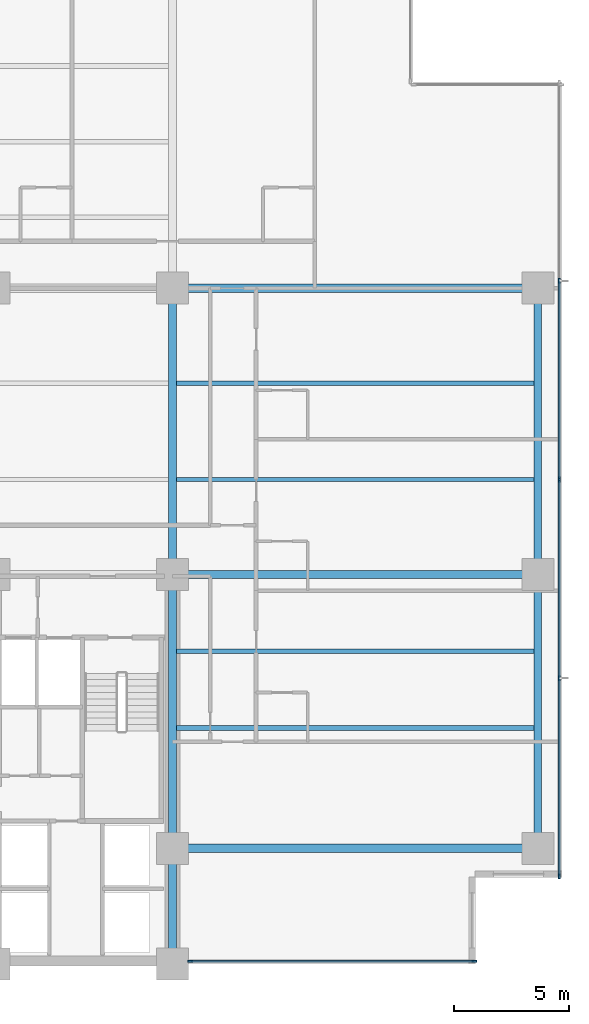
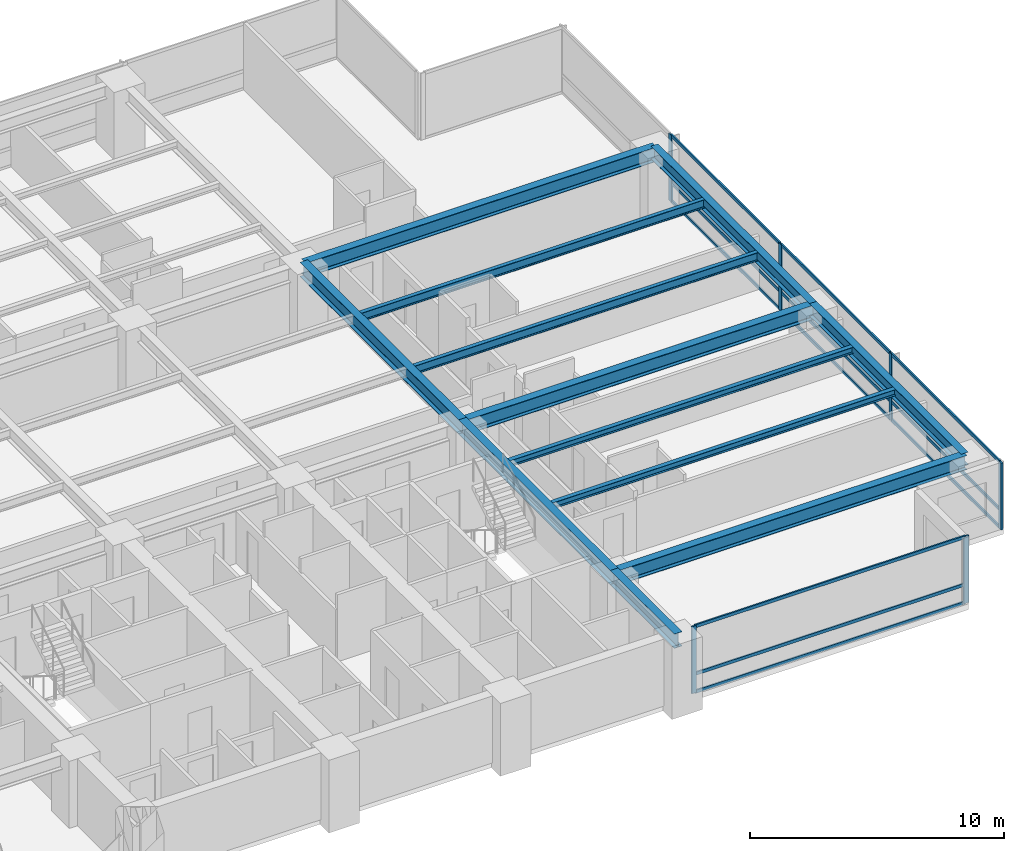
# One storey, part 3 of 17: 18 members, 12 beams, 2 elements without a shape of their own.
"""IFC4 building model written with IfcOpenShell, lengths in metres."""

from ifc_helpers import new_model, si_unit, direction, frame, origin, origin_2d, place, context, subcontext, project, spatial, rectangle, i_section, extrude, material, layer, layer_set, material_profile, profile_set, type_object, element, aggregate, save


model = new_model("IFC4")

# Units and contexts
model_context = context("Model", 3, precision=1e-05, world=origin(), true_north=direction((0.0, 1.0)))
body_context = subcontext(model_context, "Body", "Model", "MODEL_VIEW")
ifc_project = project(units=[si_unit("LENGTHUNIT", "METRE"), si_unit("AREAUNIT", "SQUARE_METRE"), si_unit("VOLUMEUNIT", "CUBIC_METRE"), si_unit("PLANEANGLEUNIT", "RADIAN"), si_unit("MASSUNIT", "GRAM", prefix="KILO")], contexts=[model_context])

# Site, building, storey
site_placement = place(None, origin())
site = spatial("IfcSite", under=ifc_project, at=site_placement, CompositionType="ELEMENT")
building_placement = place(site_placement, origin())
building = spatial("IfcBuilding", under=site, at=building_placement, Name="Qalmaran Belvedere Hotel", CompositionType="ELEMENT")
storey_placement = place(building_placement, frame((0.0, 0.0, 68.39990234375)))
storey = spatial("IfcBuildingStorey", under=building, at=storey_placement, Name="L17", CompositionType="ELEMENT", Elevation=68.39990234375)

# Beams
ifc_material_1 = material(Name="Steel S355JR", Category="steel")
ifc_material_profile_1 = material_profile(ifc_material_1, i_section(OverallWidth=0.202880859375, OverallDepth=0.302978515625, WebThickness=0.007568359375, FlangeThickness=0.01318359375, FilletRadius=0.012939453125, at=origin_2d()), Name="W310X60")
ifc_profile_set_1 = profile_set([ifc_material_profile_1], Name="Steel S355JR")
beam_type_1 = type_object("IfcBeamType", Name="BM-JST-W310X60", PredefinedType="JOIST", material=ifc_profile_set_1)
for number, where, z_axis, x_axis, name in (
    (1, (44.9755859375, 13.800048828125, 3.068603515625), (1.0, 0.0, 0.0), (0.0, 1.0, 0.0), "L17 East Wing Joist 039"),
    (2, (44.9755859375, 17.14990234375, 3.068603515625), (1.0, 0.0, 0.0), (0.0, 1.0, 0.0), "L17 East Wing Joist 041"),
):
    element("IfcBeam", number, at=place(storey_placement, frame(where, z_axis=z_axis, x_axis=x_axis)), inside=storey, type_object=beam_type_1, Name=name, PredefinedType="JOIST", context=body_context, shape_type="SweptSolid", body=[
        extrude(i_section(OverallWidth=0.202880859375, OverallDepth=0.302978515625, WebThickness=0.007568359375, FlangeThickness=0.01318359375, FilletRadius=0.012939453125, at=origin_2d()), origin(), (0.0, 0.0, 1.0), 15.61279296875),
    ])
ifc_material_profile_2 = material_profile(ifc_material_1, i_section(OverallWidth=0.180908203125, OverallDepth=0.4169921875, WebThickness=0.010986328125, FlangeThickness=0.018310546875, FilletRadius=0.014892578125, at=origin_2d()), Name="W410X85")
ifc_profile_set_2 = profile_set([ifc_material_profile_2], Name="Steel S355JR")
beam_type_2 = type_object("IfcBeamType", Name="BM-SB1-W410X85", PredefinedType="BEAM", material=ifc_profile_set_2)
for number, where, z_axis, x_axis, name in (
    (3, (44.9755859375, 24.64990234375, 3.01171875), (1.0, 0.0, 0.0), (0.0, 1.0, 0.0), "L17 East Secondary Beam 032"),
    (4, (44.9755859375, 28.85009765625, 3.01171875), (1.0, 0.0, 0.0), (0.0, 1.0, 0.0), "L17 East Secondary Beam 037"),
):
    element("IfcBeam", number, at=place(storey_placement, frame(where, z_axis=z_axis, x_axis=x_axis)), inside=storey, type_object=beam_type_2, Name=name, PredefinedType="BEAM", context=body_context, shape_type="SweptSolid", body=[
        extrude(i_section(OverallWidth=0.180908203125, OverallDepth=0.4169921875, WebThickness=0.010986328125, FlangeThickness=0.018310546875, FilletRadius=0.014892578125, at=origin_2d()), origin(), (0.0, 0.0, 1.0), 15.61279296875),
    ])
ifc_material_profile_3 = material_profile(ifc_material_1, i_section(OverallWidth=0.326904296875, OverallDepth=0.6220703125, WebThickness=0.015380859375, FlangeThickness=0.0244140625, FilletRadius=0.02001953125, at=origin_2d()), Name="W610X195")
ifc_profile_set_3 = profile_set([ifc_material_profile_3], Name="Steel S355JR")
beam_type_3 = type_object("IfcBeamType", Name="BM-SP1-W610X195", PredefinedType="SPANDREL", material=ifc_profile_set_3)
beam_1_placement = place(storey_placement, frame((60.75, 8.550048828125, 2.9091796875), z_axis=(0.0, 1.0, 0.0), x_axis=(-1.0, 0.0, 0.0)))
element("IfcBeam", 5, at=beam_1_placement, inside=storey, type_object=beam_type_3, Name="L17 Perimeter Spandrel 03", PredefinedType="SPANDREL", context=body_context, shape_type="SweptSolid", body=[
    extrude(i_section(OverallWidth=0.326904296875, OverallDepth=0.6220703125, WebThickness=0.015380859375, FlangeThickness=0.0244140625, FilletRadius=0.02001953125, at=origin_2d()), origin(), (0.0, 0.0, 1.0), 11.949951171875),
])
beam_2_placement = place(storey_placement, frame((60.75, 20.5, 2.9091796875), z_axis=(0.0, 1.0, 0.0), x_axis=(-1.0, 0.0, 0.0)))
element("IfcBeam", 6, at=beam_2_placement, inside=storey, type_object=beam_type_3, Name="L17 Perimeter Spandrel 04", PredefinedType="SPANDREL", context=body_context, shape_type="SweptSolid", body=[
    extrude(i_section(OverallWidth=0.326904296875, OverallDepth=0.6220703125, WebThickness=0.015380859375, FlangeThickness=0.0244140625, FilletRadius=0.02001953125, at=origin_2d()), origin(), (0.0, 0.0, 1.0), 12.5),
])
ifc_material_profile_4 = material_profile(ifc_material_1, i_section(OverallWidth=0.35498046875, OverallDepth=0.695068359375, WebThickness=0.015380859375, FlangeThickness=0.02490234375, FilletRadius=0.02197265625, at=origin_2d()), Name="W690X217")
ifc_profile_set_4 = profile_set([ifc_material_profile_4], Name="Steel S355JR")
beam_type_4 = type_object("IfcBeamType", Name="BM-Z1-W690X217", PredefinedType="USERDEFINED", material=ifc_profile_set_4)
beam_3_placement = place(storey_placement, frame((44.800048828125, 20.5, 2.87255859375), z_axis=(0.0, 1.0, 0.0), x_axis=(-1.0, 0.0, 0.0)))
element("IfcBeam", 7, at=beam_3_placement, inside=storey, type_object=beam_type_4, Name="L17 Mid-Plate N-S Girder 20", ObjectType="GIRDER", PredefinedType="USERDEFINED", context=body_context, shape_type="SweptSolid", body=[
    extrude(i_section(OverallWidth=0.35498046875, OverallDepth=0.695068359375, WebThickness=0.015380859375, FlangeThickness=0.02490234375, FilletRadius=0.02197265625, at=origin_2d()), origin(), (0.0, 0.0, 1.0), 12.5),
])
beam_4_placement = place(storey_placement, frame((44.800048828125, 3.5, 2.87255859375), z_axis=(0.0, 1.0, 0.0), x_axis=(-1.0, 0.0, 0.0)))
element("IfcBeam", 8, at=beam_4_placement, inside=storey, type_object=beam_type_4, Name="L17 East Core Edge Girder A", ObjectType="GIRDER", PredefinedType="USERDEFINED", context=body_context, shape_type="SweptSolid", body=[
    extrude(i_section(OverallWidth=0.35498046875, OverallDepth=0.695068359375, WebThickness=0.015380859375, FlangeThickness=0.02490234375, FilletRadius=0.02197265625, at=origin_2d()), origin(), (0.0, 0.0, 1.0), 5.050048828125),
])
beam_5_placement = place(storey_placement, frame((44.800048828125, 8.550048828125, 2.87255859375), z_axis=(0.0, 1.0, 0.0), x_axis=(-1.0, 0.0, 0.0)))
element("IfcBeam", 9, at=beam_5_placement, inside=storey, type_object=beam_type_4, Name="L17 East Core Edge Girder B", ObjectType="GIRDER", PredefinedType="USERDEFINED", context=body_context, shape_type="SweptSolid", body=[
    extrude(i_section(OverallWidth=0.35498046875, OverallDepth=0.695068359375, WebThickness=0.015380859375, FlangeThickness=0.02490234375, FilletRadius=0.02197265625, at=origin_2d()), origin(), (0.0, 0.0, 1.0), 11.949951171875),
])
for number, where, z_axis, x_axis, name in (
    (10, (44.800048828125, 8.550048828125, 2.87255859375), (1.0, 0.0, 0.0), (0.0, 1.0, 0.0), "L17 East Wing Girder 25"),
    (11, (44.800048828125, 20.5, 2.87255859375), (1.0, 0.0, 0.0), (0.0, 1.0, 0.0), "L17 East Wing Girder 26"),
    (12, (44.800048828125, 33.0, 2.87255859375), (1.0, 0.0, 0.0), (0.0, 1.0, 0.0), "L17 East Wing Girder 27"),
):
    element("IfcBeam", number, at=place(storey_placement, frame(where, z_axis=z_axis, x_axis=x_axis)), inside=storey, type_object=beam_type_4, Name=name, ObjectType="GIRDER", PredefinedType="USERDEFINED", context=body_context, shape_type="SweptSolid", body=[
        extrude(i_section(OverallWidth=0.35498046875, OverallDepth=0.695068359375, WebThickness=0.015380859375, FlangeThickness=0.02490234375, FilletRadius=0.02197265625, at=origin_2d()), origin(), (0.0, 0.0, 1.0), 15.949951171875),
    ])

# Curtain wall, members
ifc_material_2 = material(Name="Anodised Bronze Aluminium", Category="aluminium")
ifc_layer = layer(ifc_material_2, 0.2099609375, Name="Anodised Bronze Aluminium")
ifc_layer_set = layer_set([ifc_layer], Name="Anodised Bronze Aluminium")
curtain_wall_type = type_object("IfcCurtainWallType", Name="CW2-TOWER-LOWER", PredefinedType="NOTDEFINED", material=ifc_layer_set)
curtain_wall_1_placement = place(storey_placement, origin())
curtain_wall_1 = element("IfcCurtainWall", 13, at=curtain_wall_1_placement, inside=storey, type_object=curtain_wall_type, Name="L17 Curtain Wall CW2", PredefinedType="NOTDEFINED")
ifc_material_profile_5 = material_profile(ifc_material_2, rectangle(XDim=0.074951171875, YDim=0.219970703125, at=origin_2d()), Name="CWM75X220")
ifc_profile_set_5 = profile_set([ifc_material_profile_5], Name="Anodised Bronze Aluminium")
member_type_1 = type_object("IfcMemberType", Name="CWM-75X220", PredefinedType="MULLION", material=ifc_profile_set_5)
member_1_placement = place(storey_placement, frame((45.577392578125, 3.6201171875, 0.0), z_axis=(0.0, 0.0, 1.0), x_axis=(0.0, 1.0, 0.0)))
member_1 = element("IfcMember", 14, at=member_1_placement, type_object=member_type_1, Name="CW2 mullion 1", PredefinedType="MULLION", context=body_context, shape_type="SweptSolid", body=[
    extrude(rectangle(XDim=0.074951171875, YDim=0.219970703125, at=origin_2d()), origin(), (0.0, 0.0, 1.0), 3.22021484375),
])
member_2_placement = place(storey_placement, frame((57.96240234375, 3.6201171875, 0.0), z_axis=(0.0, 0.0, 1.0), x_axis=(0.0, 1.0, 0.0)))
member_2 = element("IfcMember", 15, at=member_2_placement, type_object=member_type_1, Name="CW2 mullion 2", PredefinedType="MULLION", context=body_context, shape_type="SweptSolid", body=[
    extrude(rectangle(XDim=0.074951171875, YDim=0.219970703125, at=origin_2d()), origin(), (0.0, 0.0, 1.0), 3.22021484375),
])

curtain_wall_2_placement = place(storey_placement, origin())
curtain_wall_2 = element("IfcCurtainWall", 16, at=curtain_wall_2_placement, inside=storey, type_object=curtain_wall_type, Name="L17 Curtain Wall CW2", PredefinedType="NOTDEFINED")
member_3_placement = place(storey_placement, frame((61.679931640625, 7.33740234375, 0.0), z_axis=(0.0, 0.0, 1.0), x_axis=(-1.0, 0.0, 0.0)))
member_3 = element("IfcMember", 17, at=member_3_placement, type_object=member_type_1, Name="CW2 mullion 1", PredefinedType="MULLION", context=body_context, shape_type="SweptSolid", body=[
    extrude(rectangle(XDim=0.074951171875, YDim=0.219970703125, at=origin_2d()), origin(), (0.0, 0.0, 1.0), 3.22021484375),
])
member_4_placement = place(storey_placement, frame((61.679931640625, 15.97509765625, 0.0), z_axis=(0.0, 0.0, 1.0), x_axis=(-1.0, 0.0, 0.0)))
member_4 = element("IfcMember", 18, at=member_4_placement, type_object=member_type_1, Name="CW2 mullion 2", PredefinedType="MULLION", context=body_context, shape_type="SweptSolid", body=[
    extrude(rectangle(XDim=0.074951171875, YDim=0.219970703125, at=origin_2d()), origin(), (0.0, 0.0, 1.0), 3.22021484375),
])
member_5_placement = place(storey_placement, frame((61.679931640625, 24.64990234375, 0.0), z_axis=(0.0, 0.0, 1.0), x_axis=(-1.0, 0.0, 0.0)))
member_5 = element("IfcMember", 19, at=member_5_placement, type_object=member_type_1, Name="CW2 mullion 3", PredefinedType="MULLION", context=body_context, shape_type="SweptSolid", body=[
    extrude(rectangle(XDim=0.074951171875, YDim=0.219970703125, at=origin_2d()), origin(), (0.0, 0.0, 1.0), 3.22021484375),
])
member_6_placement = place(storey_placement, frame((61.679931640625, 33.324951171875, 0.0), z_axis=(0.0, 0.0, 1.0), x_axis=(-1.0, 0.0, 0.0)))
member_6 = element("IfcMember", 20, at=member_6_placement, type_object=member_type_1, Name="CW2 mullion 4", PredefinedType="MULLION", context=body_context, shape_type="SweptSolid", body=[
    extrude(rectangle(XDim=0.074951171875, YDim=0.219970703125, at=origin_2d()), origin(), (0.0, 0.0, 1.0), 3.22021484375),
])

# Member
ifc_material_profile_6 = material_profile(ifc_material_2, rectangle(XDim=0.070068359375, YDim=0.14990234375, at=origin_2d()), Name="CWT70X150")
ifc_profile_set_6 = profile_set([ifc_material_profile_6], Name="Anodised Bronze Aluminium")
member_type_2 = type_object("IfcMemberType", Name="CWT-70X150", PredefinedType="USERDEFINED", material=ifc_profile_set_6)
member_7_placement = place(storey_placement, frame((45.614990234375, 3.6201171875, 0.03515625), z_axis=(1.0, 0.0, 0.0), x_axis=(0.0, 1.0, 0.0)))
member_7 = element("IfcMember", 21, at=member_7_placement, type_object=member_type_2, Name="CW2 transom 1.1", ObjectType="TRANSOM", PredefinedType="USERDEFINED", context=body_context, shape_type="SweptSolid", body=[
    extrude(rectangle(XDim=0.070068359375, YDim=0.14990234375, at=origin_2d()), origin(), (0.0, 0.0, 1.0), 12.31005859375),
])

member_8_placement = place(storey_placement, frame((45.614990234375, 3.6201171875, 0.901611328125), z_axis=(1.0, 0.0, 0.0), x_axis=(0.0, 1.0, 0.0)))
member_8 = element("IfcMember", 22, at=member_8_placement, type_object=member_type_2, Name="CW2 transom 1.2", ObjectType="TRANSOM", PredefinedType="USERDEFINED", context=body_context, shape_type="SweptSolid", body=[
    extrude(rectangle(XDim=0.070068359375, YDim=0.14990234375, at=origin_2d()), origin(), (0.0, 0.0, 1.0), 12.31005859375),
])

member_9_placement = place(storey_placement, frame((45.614990234375, 3.6201171875, 3.18505859375), z_axis=(1.0, 0.0, 0.0), x_axis=(0.0, 1.0, 0.0)))
member_9 = element("IfcMember", 23, at=member_9_placement, type_object=member_type_2, Name="CW2 transom 1.3", ObjectType="TRANSOM", PredefinedType="USERDEFINED", context=body_context, shape_type="SweptSolid", body=[
    extrude(rectangle(XDim=0.070068359375, YDim=0.14990234375, at=origin_2d()), origin(), (0.0, 0.0, 1.0), 12.31005859375),
])

aggregate(curtain_wall_1, [member_1, member_2, member_7, member_8, member_9])

member_10_placement = place(storey_placement, frame((61.679931640625, 7.375, 0.03515625), z_axis=(0.0, 1.0, 0.0), x_axis=(-1.0, 0.0, 0.0)))
member_10 = element("IfcMember", 24, at=member_10_placement, type_object=member_type_2, Name="CW2 transom 1.1", ObjectType="TRANSOM", PredefinedType="USERDEFINED", context=body_context, shape_type="SweptSolid", body=[
    extrude(rectangle(XDim=0.070068359375, YDim=0.14990234375, at=origin_2d()), origin(), (0.0, 0.0, 1.0), 8.5625),
])

member_11_placement = place(storey_placement, frame((61.679931640625, 7.375, 0.901611328125), z_axis=(0.0, 1.0, 0.0), x_axis=(-1.0, 0.0, 0.0)))
member_11 = element("IfcMember", 25, at=member_11_placement, type_object=member_type_2, Name="CW2 transom 1.2", ObjectType="TRANSOM", PredefinedType="USERDEFINED", context=body_context, shape_type="SweptSolid", body=[
    extrude(rectangle(XDim=0.070068359375, YDim=0.14990234375, at=origin_2d()), origin(), (0.0, 0.0, 1.0), 8.5625),
])

member_12_placement = place(storey_placement, frame((61.679931640625, 7.375, 3.18505859375), z_axis=(0.0, 1.0, 0.0), x_axis=(-1.0, 0.0, 0.0)))
member_12 = element("IfcMember", 26, at=member_12_placement, type_object=member_type_2, Name="CW2 transom 1.3", ObjectType="TRANSOM", PredefinedType="USERDEFINED", context=body_context, shape_type="SweptSolid", body=[
    extrude(rectangle(XDim=0.070068359375, YDim=0.14990234375, at=origin_2d()), origin(), (0.0, 0.0, 1.0), 8.5625),
])

member_13_placement = place(storey_placement, frame((61.679931640625, 16.012451171875, 0.03515625), z_axis=(0.0, 1.0, 0.0), x_axis=(-1.0, 0.0, 0.0)))
member_13 = element("IfcMember", 27, at=member_13_placement, type_object=member_type_2, Name="CW2 transom 2.1", ObjectType="TRANSOM", PredefinedType="USERDEFINED", context=body_context, shape_type="SweptSolid", body=[
    extrude(rectangle(XDim=0.070068359375, YDim=0.14990234375, at=origin_2d()), origin(), (0.0, 0.0, 1.0), 8.60009765625),
])

member_14_placement = place(storey_placement, frame((61.679931640625, 16.012451171875, 0.901611328125), z_axis=(0.0, 1.0, 0.0), x_axis=(-1.0, 0.0, 0.0)))
member_14 = element("IfcMember", 28, at=member_14_placement, type_object=member_type_2, Name="CW2 transom 2.2", ObjectType="TRANSOM", PredefinedType="USERDEFINED", context=body_context, shape_type="SweptSolid", body=[
    extrude(rectangle(XDim=0.070068359375, YDim=0.14990234375, at=origin_2d()), origin(), (0.0, 0.0, 1.0), 8.60009765625),
])

member_15_placement = place(storey_placement, frame((61.679931640625, 16.012451171875, 3.18505859375), z_axis=(0.0, 1.0, 0.0), x_axis=(-1.0, 0.0, 0.0)))
member_15 = element("IfcMember", 29, at=member_15_placement, type_object=member_type_2, Name="CW2 transom 2.3", ObjectType="TRANSOM", PredefinedType="USERDEFINED", context=body_context, shape_type="SweptSolid", body=[
    extrude(rectangle(XDim=0.070068359375, YDim=0.14990234375, at=origin_2d()), origin(), (0.0, 0.0, 1.0), 8.60009765625),
])

member_16_placement = place(storey_placement, frame((61.679931640625, 24.6875, 0.03515625), z_axis=(0.0, 1.0, 0.0), x_axis=(-1.0, 0.0, 0.0)))
member_16 = element("IfcMember", 30, at=member_16_placement, type_object=member_type_2, Name="CW2 transom 3.1", ObjectType="TRANSOM", PredefinedType="USERDEFINED", context=body_context, shape_type="SweptSolid", body=[
    extrude(rectangle(XDim=0.070068359375, YDim=0.14990234375, at=origin_2d()), origin(), (0.0, 0.0, 1.0), 8.60009765625),
])

member_17_placement = place(storey_placement, frame((61.679931640625, 24.6875, 0.901611328125), z_axis=(0.0, 1.0, 0.0), x_axis=(-1.0, 0.0, 0.0)))
member_17 = element("IfcMember", 31, at=member_17_placement, type_object=member_type_2, Name="CW2 transom 3.2", ObjectType="TRANSOM", PredefinedType="USERDEFINED", context=body_context, shape_type="SweptSolid", body=[
    extrude(rectangle(XDim=0.070068359375, YDim=0.14990234375, at=origin_2d()), origin(), (0.0, 0.0, 1.0), 8.60009765625),
])

member_18_placement = place(storey_placement, frame((61.679931640625, 24.6875, 3.18505859375), z_axis=(0.0, 1.0, 0.0), x_axis=(-1.0, 0.0, 0.0)))
member_18 = element("IfcMember", 32, at=member_18_placement, type_object=member_type_2, Name="CW2 transom 3.3", ObjectType="TRANSOM", PredefinedType="USERDEFINED", context=body_context, shape_type="SweptSolid", body=[
    extrude(rectangle(XDim=0.070068359375, YDim=0.14990234375, at=origin_2d()), origin(), (0.0, 0.0, 1.0), 8.60009765625),
])

aggregate(curtain_wall_2, [member_3, member_4, member_5, member_6, member_10, member_11, member_12, member_13, member_14, member_15, member_16, member_17, member_18])

save(model, "model.ifc")
